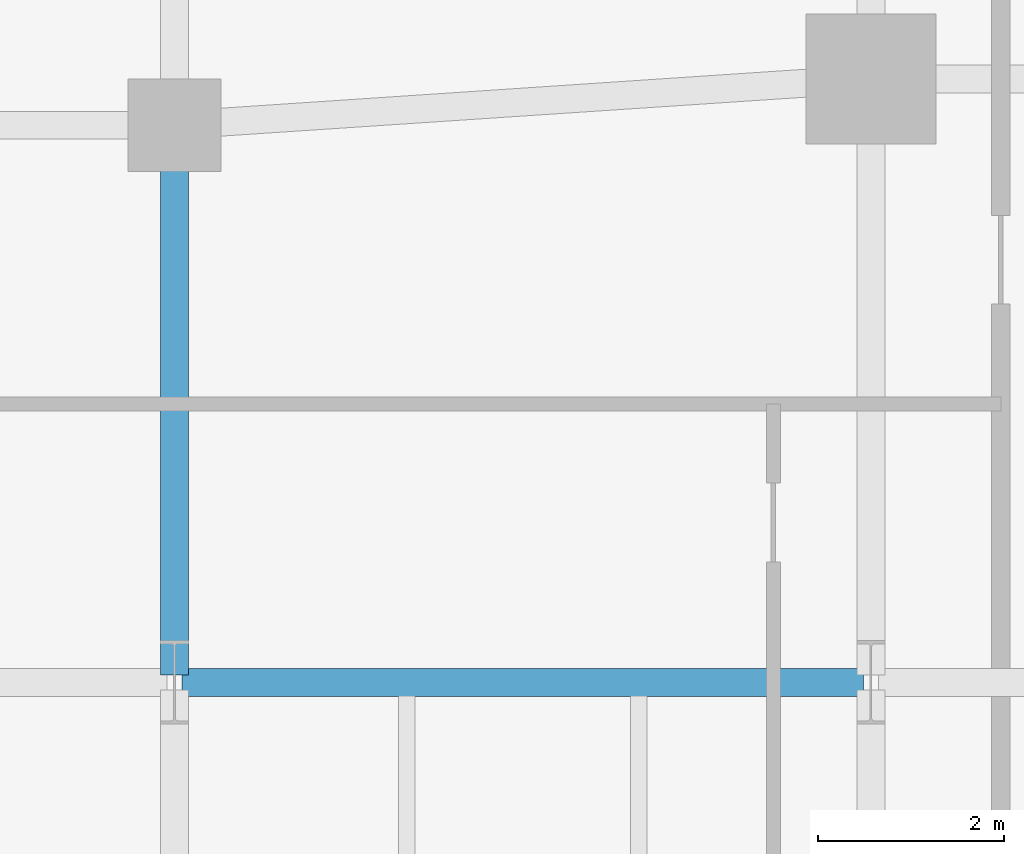
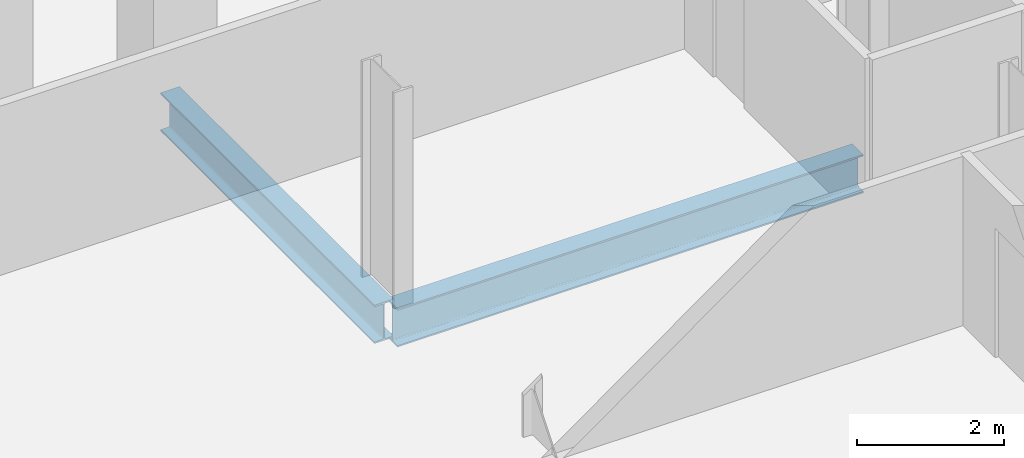
# One storey, part 9 of 31: 2 beams.
"""IFC4 building model written with IfcOpenShell, lengths in metres."""

from ifc_helpers import new_model, si_unit, direction, frame, origin, origin_2d, place, context, subcontext, project, spatial, i_section, extrude, material, material_profile, profile_set, type_object, element, save


model = new_model("IFC4")

# Units and contexts
model_context = context("Model", 3, precision=1e-05, world=origin(), true_north=direction((0.0, 1.0)))
body_context = subcontext(model_context, "Body", "Model", "MODEL_VIEW")
ifc_project = project(units=[si_unit("LENGTHUNIT", "METRE"), si_unit("AREAUNIT", "SQUARE_METRE"), si_unit("VOLUMEUNIT", "CUBIC_METRE"), si_unit("PLANEANGLEUNIT", "RADIAN"), si_unit("MASSUNIT", "GRAM", prefix="KILO")], contexts=[model_context])

# Site, building, storey
site_placement = place(None, origin())
site = spatial("IfcSite", under=ifc_project, at=site_placement, CompositionType="ELEMENT")
building_placement = place(site_placement, origin())
building = spatial("IfcBuilding", under=site, at=building_placement, Name="Catumbela Crestline Tower", CompositionType="ELEMENT")
storey_placement = place(building_placement, frame((0.0, 0.0, 36.6)))
storey = spatial("IfcBuildingStorey", under=building, at=storey_placement, Name="L08", CompositionType="ELEMENT", Elevation=36.6)

# Beams
ifc_material = material(Name="Structural steel S355J2", Category="steel")
ifc_material_profile = material_profile(ifc_material, i_section(OverallWidth=0.3, OverallDepth=0.64, WebThickness=0.0135, FlangeThickness=0.026, FilletRadius=0.027, at=origin_2d()), Name="HEA 650")
ifc_profile_set = profile_set([ifc_material_profile], Name="Structural steel S355J2")
beam_type = type_object("IfcBeamType", Name="BG-HEA650", PredefinedType="BEAM", material=ifc_profile_set)
beam_1_placement = place(storey_placement, frame((8.58, 18.0, -0.58), z_axis=(1.0, 0.0, 0.0), x_axis=(0.0, 1.0, 0.0)))
element("IfcBeam", 1, at=beam_1_placement, inside=storey, type_object=beam_type, Name="L08 Beam BM-L08-WEW55", PredefinedType="BEAM", context=body_context, shape_type="SweptSolid", body=[
    extrude(i_section(OverallWidth=0.3, OverallDepth=0.64, WebThickness=0.0135, FlangeThickness=0.026, FilletRadius=0.027, at=origin_2d()), origin(), (0.0, 0.0, 1.0), 7.34),
])
beam_2_placement = place(storey_placement, frame((8.5, 18.08, -0.58), z_axis=(0.0, 1.0, 0.0), x_axis=(-1.0, 0.0, 0.0)))
element("IfcBeam", 2, at=beam_2_placement, inside=storey, type_object=beam_type, Name="L08 Beam BM-L08-WNS63", PredefinedType="BEAM", context=body_context, shape_type="SweptSolid", body=[
    extrude(i_section(OverallWidth=0.3, OverallDepth=0.64, WebThickness=0.0135, FlangeThickness=0.026, FilletRadius=0.027, at=origin_2d()), origin(), (0.0, 0.0, 1.0), 5.84),
])

save(model, "model.ifc")
